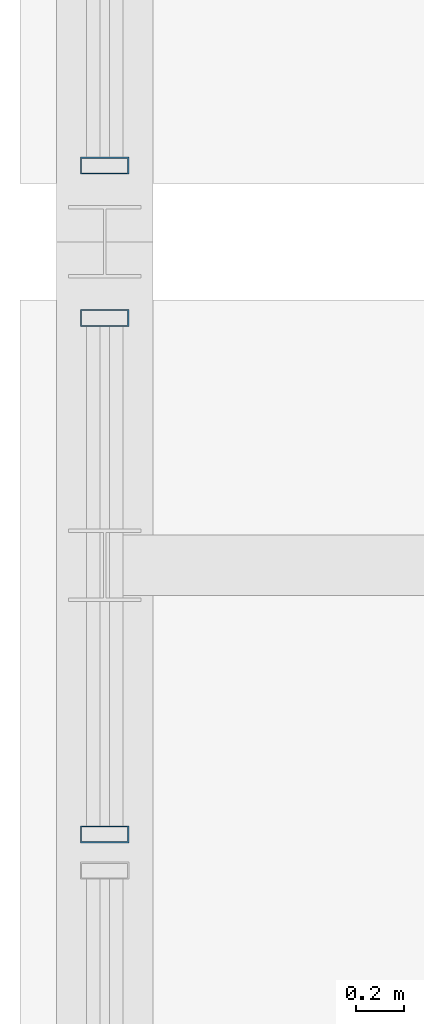
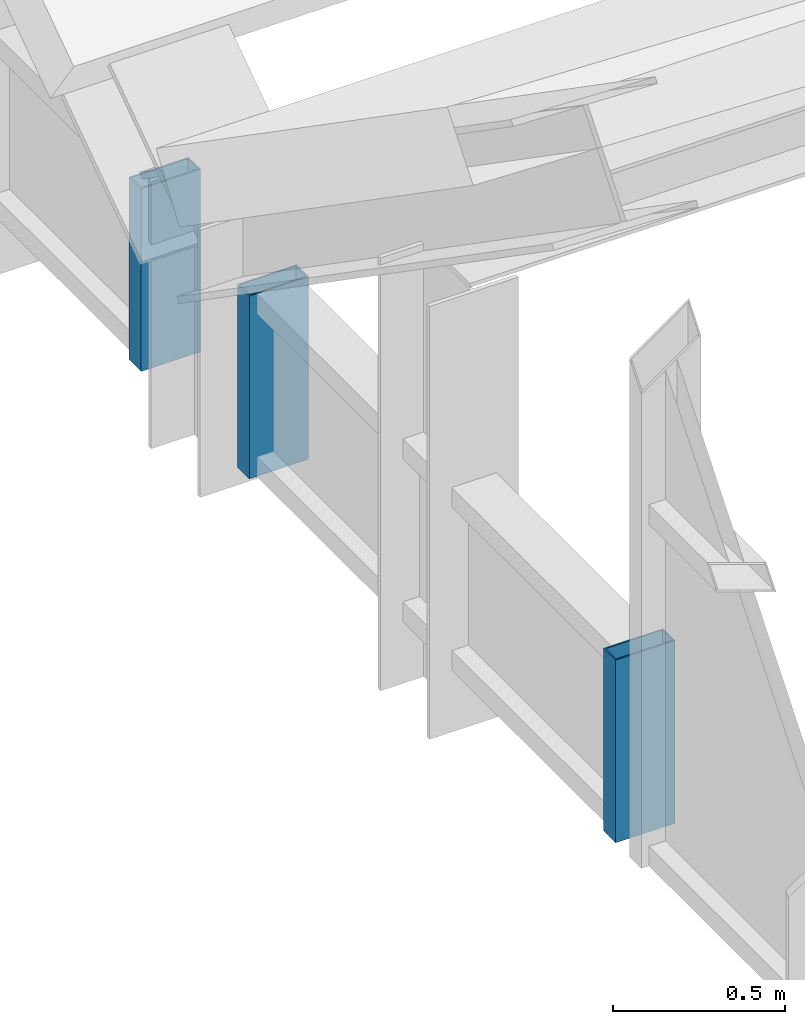
# One storey, part 13 of 21: 3 members, 2 elements without a shape of their own.
"""IFC4 building model written with IfcOpenShell, lengths in metres."""

from ifc_helpers import new_model, si_unit, direction, frame, origin, origin_2d, place, context, subcontext, project, spatial, hollow_rectangle, extrude, source, transform, mapped, material, layer, layer_set, material_profile, profile_set, type_object, element, aggregate, save


model = new_model("IFC4")

# Units and contexts
model_context = context("Model", 3, precision=1e-05, world=origin(), true_north=direction((0.0, 1.0)))
body_context = subcontext(model_context, "Body", "Model", "MODEL_VIEW")
ifc_project = project(units=[si_unit("LENGTHUNIT", "METRE"), si_unit("AREAUNIT", "SQUARE_METRE"), si_unit("VOLUMEUNIT", "CUBIC_METRE"), si_unit("PLANEANGLEUNIT", "RADIAN"), si_unit("MASSUNIT", "GRAM", prefix="KILO")], contexts=[model_context])

# Site, building, storey
site_placement = place(None, origin())
site = spatial("IfcSite", under=ifc_project, at=site_placement, CompositionType="ELEMENT")
building_placement = place(site_placement, origin())
building = spatial("IfcBuilding", under=site, at=building_placement, Name="Saelheon Loggia Tower", CompositionType="ELEMENT")
storey_placement = place(building_placement, frame((0.0, 0.0, 275.0)))
storey = spatial("IfcBuildingStorey", under=building, at=storey_placement, Name="ROOF", CompositionType="ELEMENT", Elevation=275.0)

# Curtain wall, members
ifc_material_1 = material(Name="Bronze-Anodised Aluminium and Fritted Ceramic Screen", Category="aluminium")
ifc_layer = layer(ifc_material_1, 0.219970703125)
ifc_layer_set = layer_set([ifc_layer], Name="Bronze-Anodised Aluminium and Fritted Ceramic Screen")
curtain_wall_type = type_object("IfcCurtainWallType", Name="CW_CrownScreen", PredefinedType="NOTDEFINED", material=ifc_layer_set)
curtain_wall_1_placement = place(storey_placement, origin())
curtain_wall_1 = element("IfcCurtainWall", 1, at=curtain_wall_1_placement, inside=storey, type_object=curtain_wall_type, Name="ROOF Wave Crest Curtain Wall W 02-2", PredefinedType="NOTDEFINED")
ifc_material_2 = material(Name="Bronze-Anodised Aluminium 6063-T6", Category="aluminium")
ifc_material_profile = material_profile(ifc_material_2, hollow_rectangle(XDim=0.070068359375, YDim=0.199951171875, WallThickness=0.0048828125, at=origin_2d()), Name="RHS-200x70x5")
ifc_profile_set = profile_set([ifc_material_profile], Name="Bronze-Anodised Aluminium 6063-T6")
member_type = type_object("IfcMemberType", Name="CW_CrownScreen_Mullion", PredefinedType="MULLION", material=ifc_profile_set)
shared_shape = source(origin(), body_context, "Body", "SweptSolid", [
    extrude(hollow_rectangle(XDim=0.070068359375, YDim=0.199951171875, WallThickness=0.0048828125, at=origin_2d()), origin(), (0.0, 0.0, 1.0), 0.64990234375),
])
member_1_placement = place(storey_placement, frame((23.35009765625, 19.5, 0.02001953125), z_axis=(0.0, 0.0, 1.0), x_axis=(0.0, 1.0, 0.0)))
member_1 = element("IfcMember", 2, at=member_1_placement, type_object=member_type, Name="CW6 mullion 1", PredefinedType="MULLION", context=body_context, shape_type="MappedRepresentation", body=[
    mapped(shared_shape, transform((0.0, 0.0, 0.0), scale=1.0)),
])
member_2_placement = place(storey_placement, frame((23.35009765625, 21.635009765625, 0.02001953125), z_axis=(0.0, 0.0, 1.0), x_axis=(0.0, 1.0, 0.0)))
member_2 = element("IfcMember", 3, at=member_2_placement, type_object=member_type, Name="CW6 mullion 2", PredefinedType="MULLION", context=body_context, shape_type="MappedRepresentation", body=[
    mapped(shared_shape, transform((0.0, 0.0, 0.0), scale=1.0)),
])
aggregate(curtain_wall_1, [member_1, member_2])

# Curtain wall, member
curtain_wall_2_placement = place(storey_placement, origin())
curtain_wall_2 = element("IfcCurtainWall", 4, at=curtain_wall_2_placement, inside=storey, type_object=curtain_wall_type, Name="ROOF Wave Crest Curtain Wall W 03-1", PredefinedType="NOTDEFINED")
member_3_placement = place(storey_placement, frame((23.35009765625, 22.264892578125, 0.02001953125), z_axis=(0.0, 0.0, 1.0), x_axis=(0.0, 1.0, 0.0)))
member_3 = element("IfcMember", 5, at=member_3_placement, type_object=member_type, Name="CW6 mullion 1", PredefinedType="MULLION", context=body_context, shape_type="MappedRepresentation", body=[
    mapped(shared_shape, transform((0.0, 0.0, 0.0), scale=1.0)),
])
aggregate(curtain_wall_2, [member_3])

save(model, "model.ifc")
